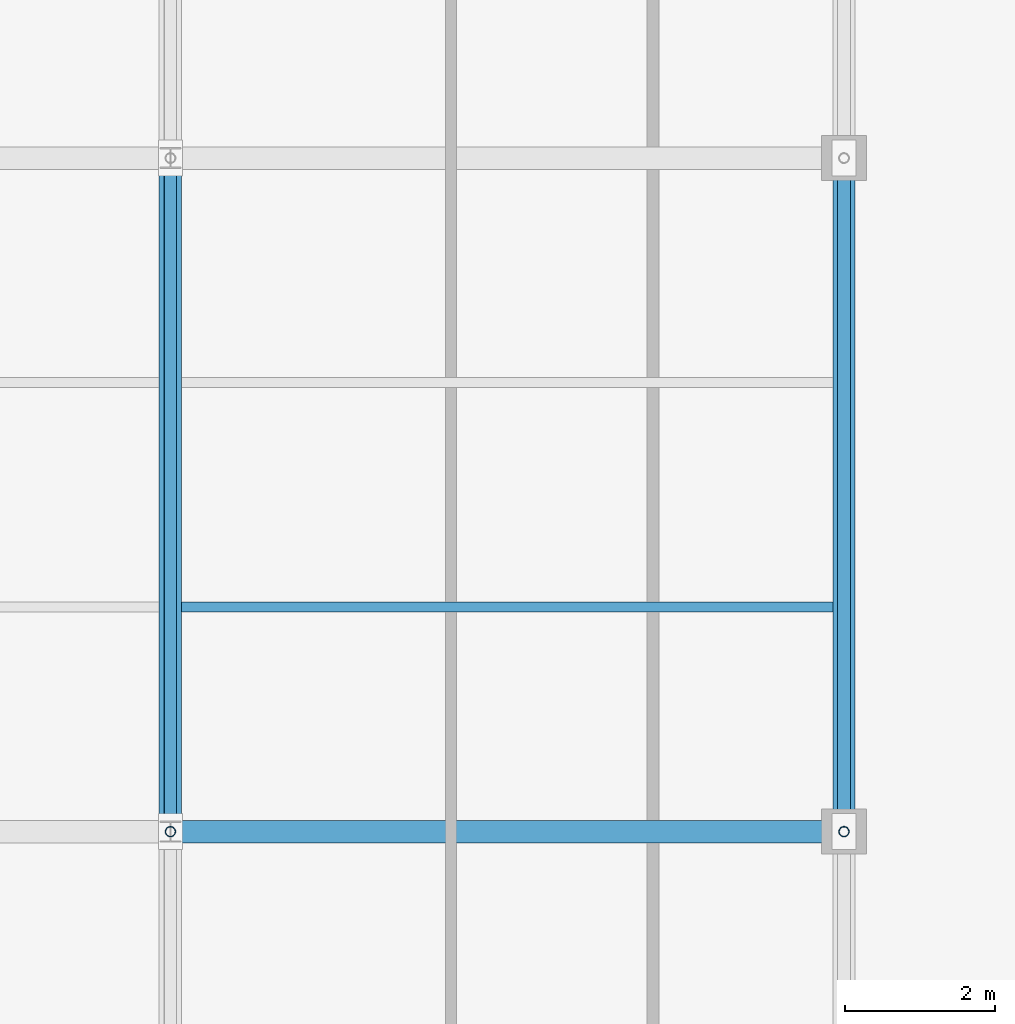
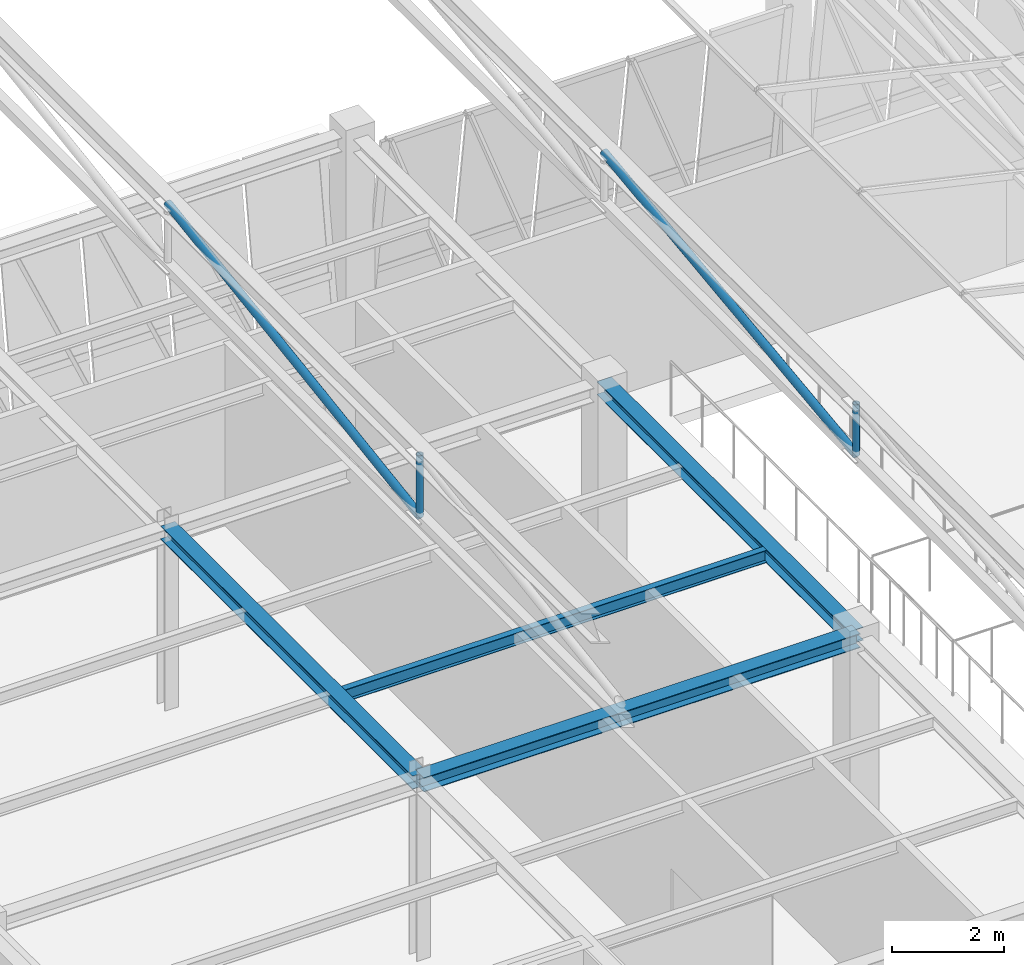
# One storey, part 69 of 130: 4 beams, 4 members.
"""IFC4 building model written with IfcOpenShell, lengths in metres."""

from ifc_helpers import new_model, si_unit, direction, frame, origin, origin_2d, place, context, subcontext, project, spatial, hollow_circle, i_section, extrude, material, material_profile, profile_set, type_object, element, save


model = new_model("IFC4")

# Units and contexts
model_context = context("Model", 3, precision=1e-05, world=origin(), true_north=direction((0.0, 1.0)))
body_context = subcontext(model_context, "Body", "Model", "MODEL_VIEW")
ifc_project = project(units=[si_unit("LENGTHUNIT", "METRE"), si_unit("AREAUNIT", "SQUARE_METRE"), si_unit("VOLUMEUNIT", "CUBIC_METRE"), si_unit("PLANEANGLEUNIT", "RADIAN"), si_unit("MASSUNIT", "GRAM", prefix="KILO")], contexts=[model_context])

# Site, building, storey
site_placement = place(None, origin())
site = spatial("IfcSite", under=ifc_project, at=site_placement, CompositionType="ELEMENT")
building_placement = place(site_placement, origin())
building = spatial("IfcBuilding", under=site, at=building_placement, Name="Lykobir Media Centre", CompositionType="ELEMENT")
storey_placement = place(building_placement, frame((0.0, 0.0, 19.199951171875)))
storey = spatial("IfcBuildingStorey", under=building, at=storey_placement, Name="L04", CompositionType="ELEMENT", Elevation=19.199951171875)

# Beams
ifc_material = material(Name="Steel S355", Category="steel")
ifc_material_profile_1 = material_profile(ifc_material, i_section(OverallWidth=0.300048828125, OverallDepth=0.2900390625, WebThickness=0.008544921875, FlangeThickness=0.013916015625, at=origin_2d()), Name="HEA 300")
ifc_profile_set_1 = profile_set([ifc_material_profile_1], Name="Steel S355")
beam_type_1 = type_object("IfcBeamType", Name="BM-HEA300", PredefinedType="BEAM", material=ifc_profile_set_1)
for number, where, z_axis, x_axis, name in (
    (1, (36.0, 90.0, 3.81494140625), (0.0, 1.0, 0.0), (-1.0, 0.0, 0.0), "Beam BM-L04-0360-0900-0360-0990-2302"),
    (2, (45.0, 90.0, 3.81494140625), (0.0, 1.0, 0.0), (-1.0, 0.0, 0.0), "Beam BM-L04-0450-0900-0450-0990-2302"),
):
    element("IfcBeam", number, at=place(storey_placement, frame(where, z_axis=z_axis, x_axis=x_axis)), inside=storey, type_object=beam_type_1, Name=name, PredefinedType="BEAM", context=body_context, shape_type="SweptSolid", body=[
        extrude(i_section(OverallWidth=0.300048828125, OverallDepth=0.2900390625, WebThickness=0.008544921875, FlangeThickness=0.013916015625, at=origin_2d()), origin(), (0.0, 0.0, 1.0), 9.0),
    ])

# Members
ifc_material_profile_2 = material_profile(ifc_material, hollow_circle(Radius=0.06982421875, WallThickness=0.008056640625, at=origin_2d()), Name="CHS 139.7x8.0")
ifc_profile_set_2 = profile_set([ifc_material_profile_2], Name="Steel S355")
member_type_1 = type_object("IfcMemberType", Name="BR-CHS140", PredefinedType="BRACE", material=ifc_profile_set_2)
member_1_placement = place(storey_placement, frame((36.0, 90.0, 10.93994140625), z_axis=(0.0, 0.0, -1.0), x_axis=(1.0, 0.0, 0.0)))
element("IfcMember", 3, at=member_1_placement, inside=storey, type_object=member_type_1, Name="Diagonal brace MEM2-L04-0360-0900-0301-0360-0900-0439", PredefinedType="BRACE", context=body_context, shape_type="SweptSolid", body=[
    extrude(hollow_circle(Radius=0.06982421875, WallThickness=0.008056640625, at=origin_2d()), origin(), (0.0, 0.0, 1.0), 1.349853515625),
])
member_2_placement = place(storey_placement, frame((45.0, 90.0, 8.900146484375), z_axis=(0.0, 0.0, -1.0), x_axis=(1.0, 0.0, 0.0)))
element("IfcMember", 4, at=member_2_placement, inside=storey, type_object=member_type_1, Name="Diagonal brace MEM2-L04-0450-0900-0281-0450-0900-0452", PredefinedType="BRACE", context=body_context, shape_type="SweptSolid", body=[
    extrude(hollow_circle(Radius=0.06982421875, WallThickness=0.008056640625, at=origin_2d()), origin(), (0.0, 0.0, 1.0), 1.1201171875),
])
ifc_material_profile_3 = material_profile(ifc_material, hollow_circle(Radius=0.084228515625, WallThickness=0.010009765625, at=origin_2d()), Name="CHS 168.3x10.0")
ifc_profile_set_3 = profile_set([ifc_material_profile_3], Name="Steel S355")
member_type_2 = type_object("IfcMemberType", Name="BR-CHS168", PredefinedType="BRACE", material=ifc_profile_set_3)
member_3_placement = place(storey_placement, frame((36.0, 90.0, 9.590087890625), z_axis=(0.0, 0.988938714016, 0.148324711095), x_axis=(-1.0, 0.0, 0.0)))
element("IfcMember", 5, at=member_3_placement, inside=storey, type_object=member_type_2, Name="Diagonal brace MEM2-L04-0360-0900-0288-0360-0990-0440", PredefinedType="BRACE", context=body_context, shape_type="SweptSolid", body=[
    extrude(hollow_circle(Radius=0.084228515625, WallThickness=0.010009765625, at=origin_2d()), origin(), (0.0, 0.0, 1.0), 9.1005859375),
])
member_4_placement = place(storey_placement, frame((45.0, 90.0, 7.780029296875), z_axis=(0.0, 0.992343997404, 0.123504618601), x_axis=(-1.0, 0.0, 0.0)))
element("IfcMember", 6, at=member_4_placement, inside=storey, type_object=member_type_2, Name="Diagonal brace MEM2-L04-0450-0900-0270-0450-0990-0453", PredefinedType="BRACE", context=body_context, shape_type="SweptSolid", body=[
    extrude(hollow_circle(Radius=0.084228515625, WallThickness=0.010009765625, at=origin_2d()), origin(), (0.0, 0.0, 1.0), 9.0693359375),
])

# Beams
ifc_material_profile_4 = material_profile(ifc_material, i_section(OverallWidth=0.135009765625, OverallDepth=0.27001953125, WebThickness=0.006591796875, FlangeThickness=0.01025390625, at=origin_2d()), Name="IPE 270")
ifc_profile_set_4 = profile_set([ifc_material_profile_4], Name="Steel S355")
beam_type_2 = type_object("IfcBeamType", Name="JS-IPE270", PredefinedType="JOIST", material=ifc_profile_set_4)
beam_1_placement = place(storey_placement, frame((36.14990234375, 93.0, 3.824951171875), z_axis=(1.0, 0.0, 0.0), x_axis=(0.0, 1.0, 0.0)))
element("IfcBeam", 7, at=beam_1_placement, inside=storey, type_object=beam_type_2, Name="Beam BM-L04-0362-0930-0448-0930-2302", PredefinedType="JOIST", context=body_context, shape_type="SweptSolid", body=[
    extrude(i_section(OverallWidth=0.135009765625, OverallDepth=0.27001953125, WebThickness=0.006591796875, FlangeThickness=0.01025390625, at=origin_2d()), origin(), (0.0, 0.0, 1.0), 8.7001953125),
])
ifc_material_profile_5 = material_profile(ifc_material, i_section(OverallWidth=0.300048828125, OverallDepth=0.31005859375, WebThickness=0.009033203125, FlangeThickness=0.015380859375, at=origin_2d()), Name="HEA 320")
ifc_profile_set_5 = profile_set([ifc_material_profile_5], Name="Steel S355")
beam_type_3 = type_object("IfcBeamType", Name="SP-HEA320", PredefinedType="SPANDREL", material=ifc_profile_set_5)
beam_2_placement = place(storey_placement, frame((36.0, 90.0, 3.804931640625), z_axis=(1.0, 0.0, 0.0), x_axis=(0.0, 1.0, 0.0)))
element("IfcBeam", 8, at=beam_2_placement, inside=storey, type_object=beam_type_3, Name="Beam BM-L04-0360-0900-0450-0900-2300", PredefinedType="SPANDREL", context=body_context, shape_type="SweptSolid", body=[
    extrude(i_section(OverallWidth=0.300048828125, OverallDepth=0.31005859375, WebThickness=0.009033203125, FlangeThickness=0.015380859375, at=origin_2d()), origin(), (0.0, 0.0, 1.0), 9.0),
])

save(model, "model.ifc")
